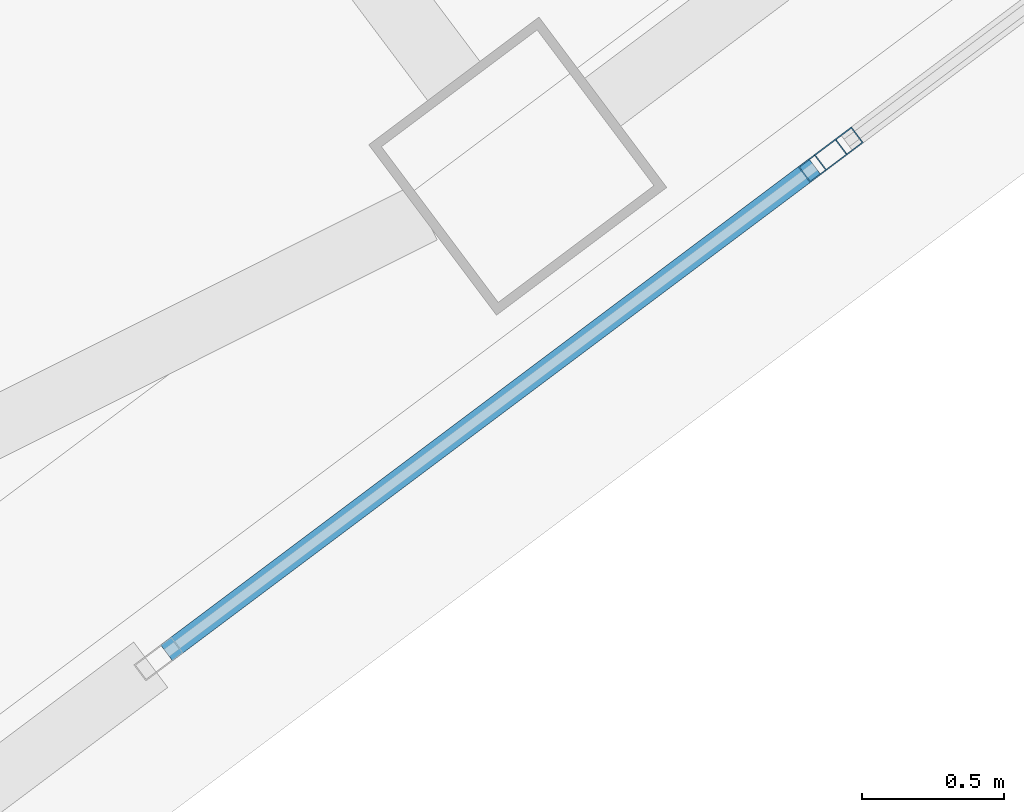
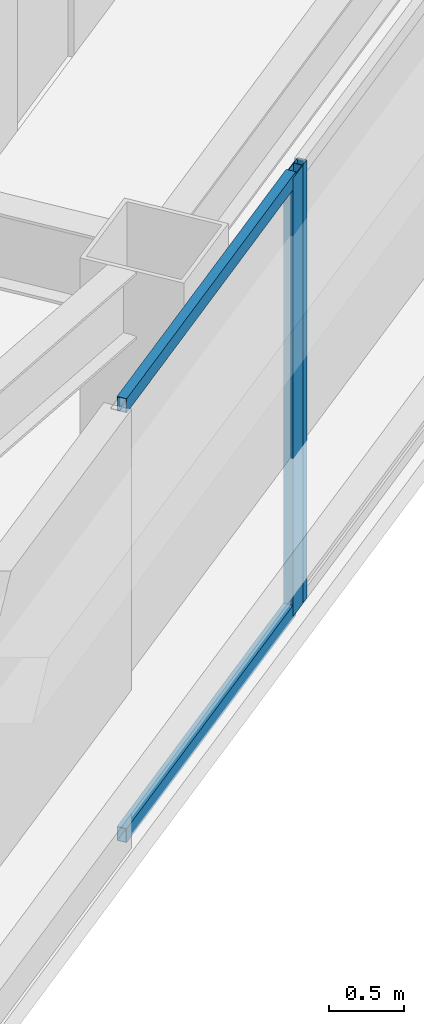
# One storey, part 18 of 39: 4 members, 2 elements without a shape of their own.
"""IFC4 building model written with IfcOpenShell, lengths in metres."""

from ifc_helpers import new_model, si_unit, direction, frame, origin, origin_2d, place, context, subcontext, project, spatial, hollow_rectangle, extrude, material, material_profile, profile_set, type_object, element, aggregate, save


model = new_model("IFC4")

# Units and contexts
model_context = context("Model", 3, precision=1e-05, world=origin(), true_north=direction((0.0, 1.0)))
body_context = subcontext(model_context, "Body", "Model", "MODEL_VIEW")
ifc_project = project(units=[si_unit("LENGTHUNIT", "METRE"), si_unit("AREAUNIT", "SQUARE_METRE"), si_unit("VOLUMEUNIT", "CUBIC_METRE"), si_unit("PLANEANGLEUNIT", "RADIAN"), si_unit("MASSUNIT", "GRAM", prefix="KILO")], contexts=[model_context])

# Site, building, storey
site_placement = place(None, origin())
site = spatial("IfcSite", under=ifc_project, at=site_placement, CompositionType="ELEMENT")
building_placement = place(site_placement, origin())
building = spatial("IfcBuilding", under=site, at=building_placement, Name="Tashvorn Skyway Center", CompositionType="ELEMENT")
storey_placement = place(building_placement, frame((0.0, 0.0, 225.5)))
storey = spatial("IfcBuildingStorey", under=building, at=storey_placement, Name="L61", CompositionType="ELEMENT", Elevation=225.5)

# Curtain wall, member
ifc_material = material(Name="Thermally broken bronze-anodized aluminium 6063-T6", Category="aluminium")
curtain_wall_type = type_object("IfcCurtainWallType", Name="CW-CW-Z5", PredefinedType="NOTDEFINED", material=ifc_material)
curtain_wall_1_placement = place(storey_placement, origin())
curtain_wall_1 = element("IfcCurtainWall", 1, at=curtain_wall_1_placement, inside=storey, type_object=curtain_wall_type, Name="Tower 2 L61 South Unitised Curtain Wall Glazing Group 2", PredefinedType="NOTDEFINED")
ifc_material_profile_1 = material_profile(ifc_material, hollow_rectangle(XDim=0.070068359375, YDim=0.1650390625, WallThickness=0.00390625, at=origin_2d()), Name="ALU-MULL-70x165")
ifc_profile_set_1 = profile_set([ifc_material_profile_1], Name="Thermally broken bronze-anodized aluminium 6063-T6")
member_type_1 = type_object("IfcMemberType", Name="CWM-CW-Z5", PredefinedType="MULLION", material=ifc_profile_set_1)
member_1_placement = place(storey_placement, frame((119.72119140625, 16.94091796875, 0.0), z_axis=(0.0, 0.0, 1.0), x_axis=(0.599996439189, -0.800002670596, 0.0)))
member_1 = element("IfcMember", 2, at=member_1_placement, type_object=member_type_1, Name="CW-Z5 mullion 2", PredefinedType="MULLION", context=body_context, shape_type="SweptSolid", body=[
    extrude(hollow_rectangle(XDim=0.070068359375, YDim=0.1650390625, WallThickness=0.00390625, at=origin_2d()), origin(), (0.0, 0.0, 1.0), 3.550048828125),
])
aggregate(curtain_wall_1, [member_1])

# Curtain wall, members
curtain_wall_2_placement = place(storey_placement, origin())
curtain_wall_2 = element("IfcCurtainWall", 3, at=curtain_wall_2_placement, inside=storey, type_object=curtain_wall_type, Name="Tower 2 L61 South Unitised Curtain Wall Glazing Group 3", PredefinedType="NOTDEFINED")
member_2_placement = place(storey_placement, frame((119.665283203125, 16.89892578125, 0.0), z_axis=(0.0, 0.0, 1.0), x_axis=(0.600000000002, -0.799999999998, 0.0)))
member_2 = element("IfcMember", 4, at=member_2_placement, type_object=member_type_1, Name="CW-Z5 mullion 1", PredefinedType="MULLION", context=body_context, shape_type="SweptSolid", body=[
    extrude(hollow_rectangle(XDim=0.070068359375, YDim=0.1650390625, WallThickness=0.00390625, at=origin_2d()), origin(), (0.0, 0.0, 1.0), 3.550048828125),
])
ifc_material_profile_2 = material_profile(ifc_material, hollow_rectangle(XDim=0.070068359375, YDim=0.114990234375, WallThickness=0.00390625, at=origin_2d()), Name="ALU-TRAN-70x115")
ifc_profile_set_2 = profile_set([ifc_material_profile_2], Name="Thermally broken bronze-anodized aluminium 6063-T6")
member_type_2 = type_object("IfcMemberType", Name="CWT-CW-Z5", PredefinedType="USERDEFINED", material=ifc_profile_set_2)
member_3_placement = place(storey_placement, frame((119.63720703125, 16.8779296875, 0.034912109375), z_axis=(-0.800030779227, -0.599958958837, 0.0), x_axis=(0.599958958837, -0.800030779227, 0.0)))
member_3 = element("IfcMember", 5, at=member_3_placement, type_object=member_type_2, Name="CW-Z5 transom 1.1", ObjectType="TRANSOM", PredefinedType="USERDEFINED", context=body_context, shape_type="SweptSolid", body=[
    extrude(hollow_rectangle(XDim=0.070068359375, YDim=0.114990234375, WallThickness=0.00390625, at=origin_2d()), origin(), (0.0, 0.0, 1.0), 2.85546875),
])
member_4_placement = place(storey_placement, frame((119.63720703125, 16.8779296875, 3.514892578125), z_axis=(-0.800030779227, -0.599958958837, 0.0), x_axis=(0.599958958837, -0.800030779227, 0.0)))
member_4 = element("IfcMember", 6, at=member_4_placement, type_object=member_type_2, Name="CW-Z5 transom 1.2", ObjectType="TRANSOM", PredefinedType="USERDEFINED", context=body_context, shape_type="SweptSolid", body=[
    extrude(hollow_rectangle(XDim=0.070068359375, YDim=0.114990234375, WallThickness=0.00390625, at=origin_2d()), origin(), (0.0, 0.0, 1.0), 2.85546875),
])
aggregate(curtain_wall_2, [member_2, member_3, member_4])

save(model, "model.ifc")
